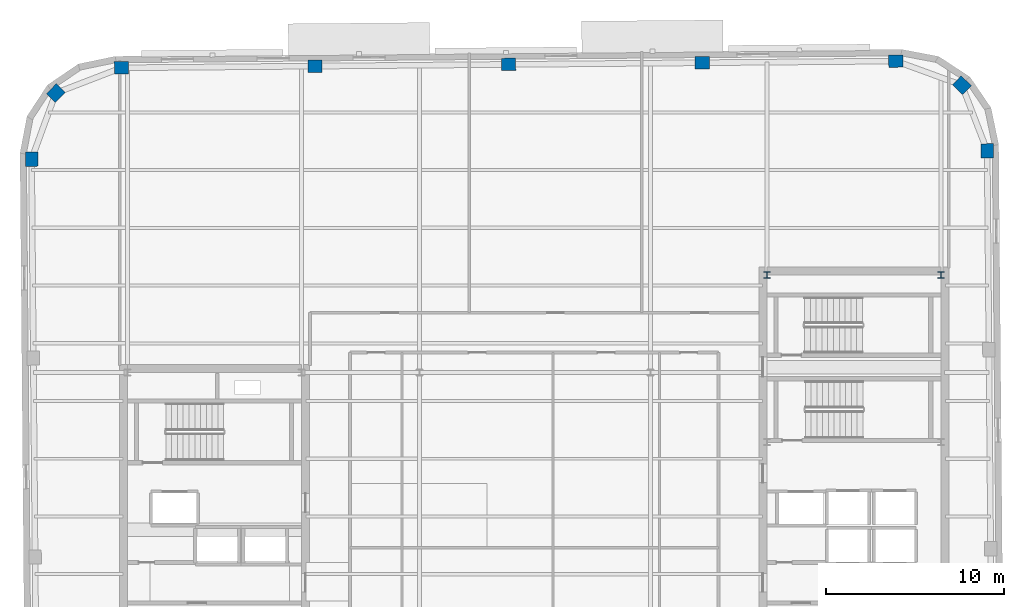
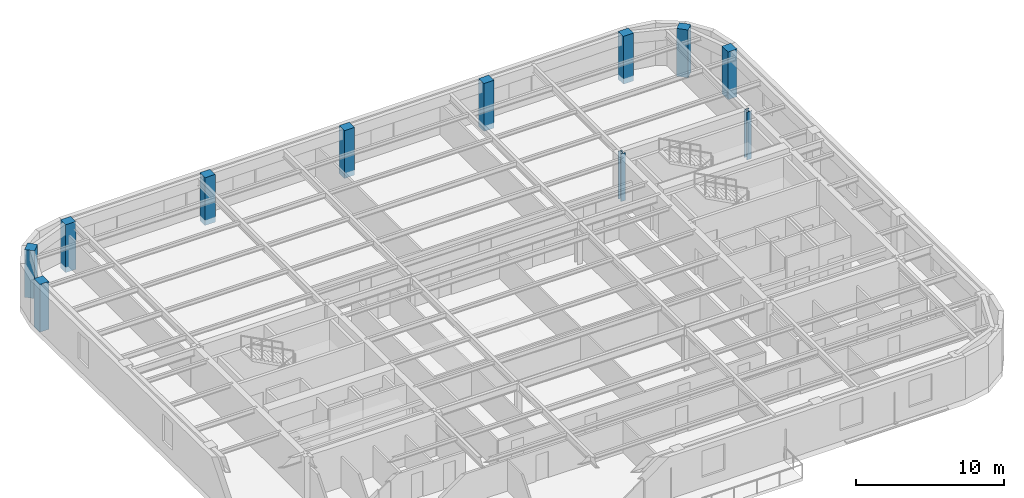
# One storey, part 3 of 14: 11 columns.
"""IFC4 building model written with IfcOpenShell, lengths in metres."""

from ifc_helpers import new_model, si_unit, direction, frame, origin, origin_2d, place, context, subcontext, project, spatial, rectangle, i_section, extrude, material, material_profile, profile_set, type_object, element, save


model = new_model("IFC4")

# Units and contexts
model_context = context("Model", 3, precision=1e-05, world=origin(), true_north=direction((0.0, 1.0)))
body_context = subcontext(model_context, "Body", "Model", "MODEL_VIEW")
ifc_project = project(units=[si_unit("LENGTHUNIT", "METRE"), si_unit("AREAUNIT", "SQUARE_METRE"), si_unit("VOLUMEUNIT", "CUBIC_METRE"), si_unit("PLANEANGLEUNIT", "RADIAN"), si_unit("MASSUNIT", "GRAM", prefix="KILO")], contexts=[model_context])

# Site, building, storey
site_placement = place(None, origin())
site = spatial("IfcSite", under=ifc_project, at=site_placement, CompositionType="ELEMENT")
building_placement = place(site_placement, origin())
building = spatial("IfcBuilding", under=site, at=building_placement, Name="Kolvaren Arena Tower", CompositionType="ELEMENT")
storey_placement = place(building_placement, frame((0.0, 0.0, 274.89990234375)))
storey = spatial("IfcBuildingStorey", under=building, at=storey_placement, Name="L67", CompositionType="ELEMENT", Elevation=274.89990234375)

# Columns
ifc_material_1 = material(Name="Precast concrete C50/60", Category="concrete")
ifc_material_profile_1 = material_profile(ifc_material_1, rectangle(XDim=0.800048828125, YDim=0.699951171875, at=origin_2d()), Name="RC-800x700")
ifc_profile_set_1 = profile_set([ifc_material_profile_1], Name="Precast concrete C50/60")
column_type_1 = type_object("IfcColumnType", Name="EXCOL-Z5", PredefinedType="COLUMN", material=ifc_profile_set_1)
for number, where, z_axis, x_axis, name in (
    (1, (62.952392578125, 46.333984375, -0.449951171875), (0.0, 0.0, 1.0), (-0.008726535498, 0.999961923064, 0.0), "Exoskeleton Perimeter Column 10 (L67)"),
    (2, (61.52880859375, 50.030517578125, -0.449951171875), (0.0, 0.0, 1.0), (-0.713250449154, 0.7009092643, 0.0), "Exoskeleton Perimeter Column 11 (L67)"),
    (3, (57.80810546875, 51.389404296875, -0.449951171875), (0.0, 0.0, 1.0), (0.999961923064, 0.008726535498, 0.0), "Exoskeleton Perimeter Column 12 (L67)"),
    (4, (46.908447265625, 51.294189453125, -0.449951171875), (0.0, 0.0, 1.0), (0.999961923064, 0.008726535498, 0.0), "Exoskeleton Perimeter Column 13 (L67)"),
    (5, (36.0087890625, 51.19921875, -0.449951171875), (0.0, 0.0, 1.0), (0.999961923064, 0.008726535498, 0.0), "Exoskeleton Perimeter Column 14 (L67)"),
    (6, (25.109375, 51.10400390625, -0.449951171875), (0.0, 0.0, 1.0), (0.999961923064, 0.008726535498, 0.0), "Exoskeleton Perimeter Column 15 (L67)"),
    (7, (14.209716796875, 51.0087890625, -0.449951171875), (0.0, 0.0, 1.0), (0.999961923064, 0.008726535498, 0.0), "Exoskeleton Perimeter Column 16 (L67)"),
    (8, (10.51318359375, 49.58544921875, -0.449951171875), (0.0, 0.0, 1.0), (0.7009092643, 0.713250449154, 0.0), "Exoskeleton Perimeter Column 17 (L67)"),
    (9, (9.154296875, 45.864501953125, -0.449951171875), (0.0, 0.0, 1.0), (-0.008726535498, 0.999961923064, 0.0), "Exoskeleton Perimeter Column 18 (L67)"),
):
    element("IfcColumn", number, at=place(storey_placement, frame(where, z_axis=z_axis, x_axis=x_axis)), inside=storey, type_object=column_type_1, Name=name, PredefinedType="COLUMN", context=body_context, shape_type="SweptSolid", body=[
        extrude(rectangle(XDim=0.800048828125, YDim=0.699951171875, at=origin_2d()), origin(), (0.0, 0.0, 1.0), 3.929931640625),
    ])
ifc_material_2 = material(Name="Steel ASTM A913 Grade 65", Category="steel")
ifc_material_profile_2 = material_profile(ifc_material_2, i_section(OverallWidth=0.3740234375, OverallDepth=0.3720703125, WebThickness=0.016357421875, FlangeThickness=0.026123046875, FilletRadius=0.02001953125, at=origin_2d()), Name="W360x196")
ifc_profile_set_2 = profile_set([ifc_material_profile_2], Name="Steel ASTM A913 Grade 65")
column_type_2 = type_object("IfcColumnType", Name="SCOL-Z5", PredefinedType="COLUMN", material=ifc_profile_set_2)
for number, where, z_axis, x_axis, name in (
    (10, (50.550048828125, 39.35009765625, -0.449951171875), (0.0, 0.0, 1.0), (1.0, 0.0, 0.0), "Core Boundary Column EC-NW (L67)"),
    (11, (60.35009765625, 39.35009765625, -0.449951171875), (0.0, 0.0, 1.0), (1.0, 0.0, 0.0), "Core Boundary Column EC-NE (L67)"),
):
    element("IfcColumn", number, at=place(storey_placement, frame(where, z_axis=z_axis, x_axis=x_axis)), inside=storey, type_object=column_type_2, Name=name, PredefinedType="COLUMN", context=body_context, shape_type="SweptSolid", body=[
        extrude(i_section(OverallWidth=0.3740234375, OverallDepth=0.3720703125, WebThickness=0.016357421875, FlangeThickness=0.026123046875, FilletRadius=0.02001953125, at=origin_2d()), origin(), (0.0, 0.0, 1.0), 3.929931640625),
    ])

save(model, "model.ifc")
